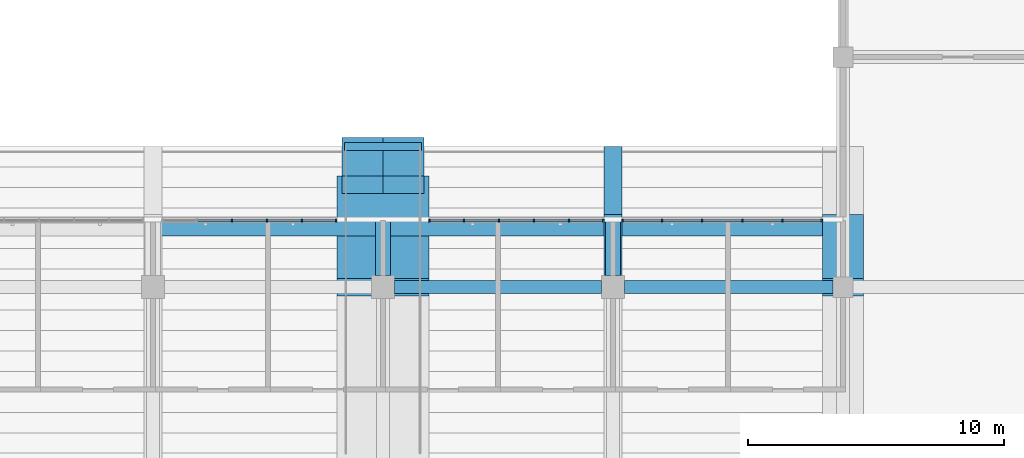
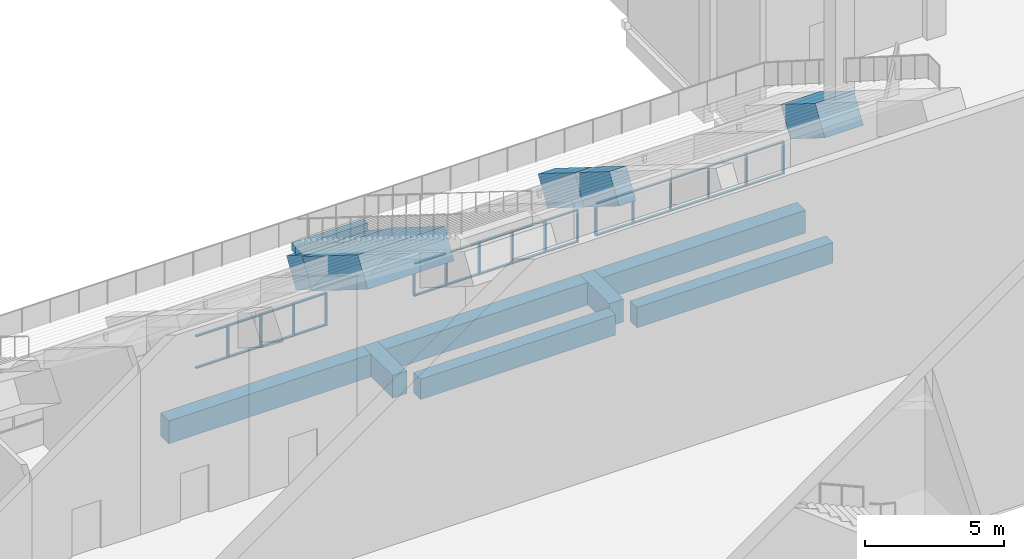
# One storey, part 42 of 182: 44 members, 14 beams, 3 elements without a shape of their own.
"""IFC4 building model written with IfcOpenShell, lengths in metres."""

from ifc_helpers import new_model, si_unit, direction, frame, origin, origin_2d, place, context, subcontext, project, spatial, rectangle, extrude, material, material_profile, profile_set, type_object, element, aggregate, save


model = new_model("IFC4")

# Units and contexts
model_context = context("Model", 3, precision=1e-05, world=origin(), true_north=direction((0.0, 1.0)))
body_context = subcontext(model_context, "Body", "Model", "MODEL_VIEW")
ifc_project = project(units=[si_unit("LENGTHUNIT", "METRE"), si_unit("AREAUNIT", "SQUARE_METRE"), si_unit("VOLUMEUNIT", "CUBIC_METRE"), si_unit("PLANEANGLEUNIT", "RADIAN"), si_unit("MASSUNIT", "GRAM", prefix="KILO")], contexts=[model_context])

# Site, building, storey
site_placement = place(None, origin())
site = spatial("IfcSite", under=ifc_project, at=site_placement, CompositionType="ELEMENT")
building_placement = place(site_placement, origin())
building = spatial("IfcBuilding", under=site, at=building_placement, Name="Silverbay Arena", CompositionType="ELEMENT")
storey_placement = place(building_placement, frame((0.0, 0.0, 11.5)))
storey = spatial("IfcBuildingStorey", under=building, at=storey_placement, Name="L02", CompositionType="ELEMENT", Elevation=11.5)

# Curtain wall, members
ifc_material_1 = material(Name="Fire-resisting glass", Category="glass")
curtain_wall_type_1 = type_object("IfcCurtainWallType", Name="Fire-resisting glazed screen EI 120 6850 x 1437", PredefinedType="NOTDEFINED", material=ifc_material_1)
curtain_wall_1_placement = place(storey_placement, origin())
curtain_wall_1 = element("IfcCurtainWall", 1, at=curtain_wall_1_placement, inside=storey, type_object=curtain_wall_type_1, Name="South suite front 5", PredefinedType="NOTDEFINED")
ifc_material_2 = material(Name="Aluminium", Category="aluminium")
ifc_material_profile_1 = material_profile(ifc_material_2, rectangle(XDim=0.1201171875, YDim=0.06005859375, at=origin_2d()), Name="Mullion 60 x 120")
ifc_profile_set_1 = profile_set([ifc_material_profile_1], Name="Aluminium")
member_type_1 = type_object("IfcMemberType", Name="Mullion 60 x 120", PredefinedType="MULLION", material=ifc_profile_set_1)
member_1_placement = place(storey_placement, frame((138.090087890625, 47.60009765625, 1.10009765625), z_axis=(0.0, 0.0, 1.0), x_axis=(0.0, 1.0, 0.0)))
member_1 = element("IfcMember", 2, at=member_1_placement, type_object=member_type_1, Name="CW19 mullion 3", PredefinedType="MULLION", context=body_context, shape_type="SweptSolid", body=[
    extrude(rectangle(XDim=0.1201171875, YDim=0.06005859375, at=origin_2d()), origin(), (0.0, 0.0, 1.0), 1.43701171875),
])
member_2_placement = place(storey_placement, frame((139.4599609375, 47.60009765625, 1.10009765625), z_axis=(0.0, 0.0, 1.0), x_axis=(0.0, 1.0, 0.0)))
member_2 = element("IfcMember", 3, at=member_2_placement, type_object=member_type_1, Name="CW19 mullion 4", PredefinedType="MULLION", context=body_context, shape_type="SweptSolid", body=[
    extrude(rectangle(XDim=0.1201171875, YDim=0.06005859375, at=origin_2d()), origin(), (0.0, 0.0, 1.0), 1.43701171875),
])
member_3_placement = place(storey_placement, frame((140.830078125, 47.60009765625, 1.10009765625), z_axis=(0.0, 0.0, 1.0), x_axis=(0.0, 1.0, 0.0)))
member_3 = element("IfcMember", 4, at=member_3_placement, type_object=member_type_1, Name="CW19 mullion 5", PredefinedType="MULLION", context=body_context, shape_type="SweptSolid", body=[
    extrude(rectangle(XDim=0.1201171875, YDim=0.06005859375, at=origin_2d()), origin(), (0.0, 0.0, 1.0), 1.43701171875),
])
member_4_placement = place(storey_placement, frame((142.169921875, 47.60009765625, 1.10009765625), z_axis=(0.0, 0.0, 1.0), x_axis=(0.0, 1.0, 0.0)))
member_4 = element("IfcMember", 5, at=member_4_placement, type_object=member_type_1, Name="CW19 mullion 6", PredefinedType="MULLION", context=body_context, shape_type="SweptSolid", body=[
    extrude(rectangle(XDim=0.1201171875, YDim=0.06005859375, at=origin_2d()), origin(), (0.0, 0.0, 1.0), 1.43701171875),
])

curtain_wall_2_placement = place(storey_placement, origin())
curtain_wall_2 = element("IfcCurtainWall", 6, at=curtain_wall_2_placement, inside=storey, type_object=curtain_wall_type_1, Name="South suite front 6", PredefinedType="NOTDEFINED")
member_5_placement = place(storey_placement, frame((145.830078125, 47.60009765625, 1.10009765625), z_axis=(0.0, 0.0, 1.0), x_axis=(0.0, 1.0, 0.0)))
member_5 = element("IfcMember", 7, at=member_5_placement, type_object=member_type_1, Name="CW19 mullion 1", PredefinedType="MULLION", context=body_context, shape_type="SweptSolid", body=[
    extrude(rectangle(XDim=0.1201171875, YDim=0.06005859375, at=origin_2d()), origin(), (0.0, 0.0, 1.0), 1.43701171875),
])
member_6_placement = place(storey_placement, frame((147.169921875, 47.60009765625, 1.10009765625), z_axis=(0.0, 0.0, 1.0), x_axis=(0.0, 1.0, 0.0)))
member_6 = element("IfcMember", 8, at=member_6_placement, type_object=member_type_1, Name="CW19 mullion 2", PredefinedType="MULLION", context=body_context, shape_type="SweptSolid", body=[
    extrude(rectangle(XDim=0.1201171875, YDim=0.06005859375, at=origin_2d()), origin(), (0.0, 0.0, 1.0), 1.43701171875),
])
member_7_placement = place(storey_placement, frame((148.5400390625, 47.60009765625, 1.10009765625), z_axis=(0.0, 0.0, 1.0), x_axis=(0.0, 1.0, 0.0)))
member_7 = element("IfcMember", 9, at=member_7_placement, type_object=member_type_1, Name="CW19 mullion 3", PredefinedType="MULLION", context=body_context, shape_type="SweptSolid", body=[
    extrude(rectangle(XDim=0.1201171875, YDim=0.06005859375, at=origin_2d()), origin(), (0.0, 0.0, 1.0), 1.43701171875),
])
member_8_placement = place(storey_placement, frame((149.909912109375, 47.60009765625, 1.10009765625), z_axis=(0.0, 0.0, 1.0), x_axis=(0.0, 1.0, 0.0)))
member_8 = element("IfcMember", 10, at=member_8_placement, type_object=member_type_1, Name="CW19 mullion 4", PredefinedType="MULLION", context=body_context, shape_type="SweptSolid", body=[
    extrude(rectangle(XDim=0.1201171875, YDim=0.06005859375, at=origin_2d()), origin(), (0.0, 0.0, 1.0), 1.43701171875),
])
member_9_placement = place(storey_placement, frame((151.280029296875, 47.60009765625, 1.10009765625), z_axis=(0.0, 0.0, 1.0), x_axis=(0.0, 1.0, 0.0)))
member_9 = element("IfcMember", 11, at=member_9_placement, type_object=member_type_1, Name="CW19 mullion 5", PredefinedType="MULLION", context=body_context, shape_type="SweptSolid", body=[
    extrude(rectangle(XDim=0.1201171875, YDim=0.06005859375, at=origin_2d()), origin(), (0.0, 0.0, 1.0), 1.43701171875),
])
member_10_placement = place(storey_placement, frame((152.6201171875, 47.60009765625, 1.10009765625), z_axis=(0.0, 0.0, 1.0), x_axis=(0.0, 1.0, 0.0)))
member_10 = element("IfcMember", 12, at=member_10_placement, type_object=member_type_1, Name="CW19 mullion 6", PredefinedType="MULLION", context=body_context, shape_type="SweptSolid", body=[
    extrude(rectangle(XDim=0.1201171875, YDim=0.06005859375, at=origin_2d()), origin(), (0.0, 0.0, 1.0), 1.43701171875),
])

ifc_material_3 = material(Name="Fire-resisting glass", Category="glass")
curtain_wall_type_2 = type_object("IfcCurtainWallType", Name="Fire-resisting glazed screen EI 120 7850 x 1437", PredefinedType="NOTDEFINED", material=ifc_material_3)
curtain_wall_3_placement = place(storey_placement, origin())
curtain_wall_3 = element("IfcCurtainWall", 13, at=curtain_wall_3_placement, inside=storey, type_object=curtain_wall_type_2, Name="South suite front 7", PredefinedType="NOTDEFINED")
member_11_placement = place(storey_placement, frame((153.3798828125, 47.60009765625, 1.10009765625), z_axis=(0.0, 0.0, 1.0), x_axis=(0.0, 1.0, 0.0)))
member_11 = element("IfcMember", 14, at=member_11_placement, type_object=member_type_1, Name="CW17 mullion 1", PredefinedType="MULLION", context=body_context, shape_type="SweptSolid", body=[
    extrude(rectangle(XDim=0.1201171875, YDim=0.06005859375, at=origin_2d()), origin(), (0.0, 0.0, 1.0), 1.43701171875),
])
member_12_placement = place(storey_placement, frame((154.919921875, 47.60009765625, 1.10009765625), z_axis=(0.0, 0.0, 1.0), x_axis=(0.0, 1.0, 0.0)))
member_12 = element("IfcMember", 15, at=member_12_placement, type_object=member_type_1, Name="CW17 mullion 2", PredefinedType="MULLION", context=body_context, shape_type="SweptSolid", body=[
    extrude(rectangle(XDim=0.1201171875, YDim=0.06005859375, at=origin_2d()), origin(), (0.0, 0.0, 1.0), 1.43701171875),
])
member_13_placement = place(storey_placement, frame((156.489990234375, 47.60009765625, 1.10009765625), z_axis=(0.0, 0.0, 1.0), x_axis=(0.0, 1.0, 0.0)))
member_13 = element("IfcMember", 16, at=member_13_placement, type_object=member_type_1, Name="CW17 mullion 3", PredefinedType="MULLION", context=body_context, shape_type="SweptSolid", body=[
    extrude(rectangle(XDim=0.1201171875, YDim=0.06005859375, at=origin_2d()), origin(), (0.0, 0.0, 1.0), 1.43701171875),
])
member_14_placement = place(storey_placement, frame((158.06005859375, 47.60009765625, 1.10009765625), z_axis=(0.0, 0.0, 1.0), x_axis=(0.0, 1.0, 0.0)))
member_14 = element("IfcMember", 17, at=member_14_placement, type_object=member_type_1, Name="CW17 mullion 4", PredefinedType="MULLION", context=body_context, shape_type="SweptSolid", body=[
    extrude(rectangle(XDim=0.1201171875, YDim=0.06005859375, at=origin_2d()), origin(), (0.0, 0.0, 1.0), 1.43701171875),
])
member_15_placement = place(storey_placement, frame((159.6298828125, 47.60009765625, 1.10009765625), z_axis=(0.0, 0.0, 1.0), x_axis=(0.0, 1.0, 0.0)))
member_15 = element("IfcMember", 18, at=member_15_placement, type_object=member_type_1, Name="CW17 mullion 5", PredefinedType="MULLION", context=body_context, shape_type="SweptSolid", body=[
    extrude(rectangle(XDim=0.1201171875, YDim=0.06005859375, at=origin_2d()), origin(), (0.0, 0.0, 1.0), 1.43701171875),
])
member_16_placement = place(storey_placement, frame((161.169921875, 47.60009765625, 1.10009765625), z_axis=(0.0, 0.0, 1.0), x_axis=(0.0, 1.0, 0.0)))
member_16 = element("IfcMember", 19, at=member_16_placement, type_object=member_type_1, Name="CW17 mullion 6", PredefinedType="MULLION", context=body_context, shape_type="SweptSolid", body=[
    extrude(rectangle(XDim=0.1201171875, YDim=0.06005859375, at=origin_2d()), origin(), (0.0, 0.0, 1.0), 1.43701171875),
])

# Beams
ifc_material_4 = material(Name="Concrete Grade C45", Category="concrete")
ifc_material_profile_2 = material_profile(ifc_material_4, rectangle(XDim=0.5, YDim=0.89990234375, at=origin_2d()), Name="RC 500x900")
ifc_profile_set_2 = profile_set([ifc_material_profile_2], Name="Concrete Grade C45")
beam_type_1 = type_object("IfcBeamType", Name="RC beam 500x900", PredefinedType="BEAM", material=ifc_profile_set_2)
beam_1_placement = place(storey_placement, frame((144.449951171875, 45.0, -0.800048828125), z_axis=(1.0, 0.0, 0.0), x_axis=(0.0, 1.0, 0.0)))
element("IfcBeam", 20, at=beam_1_placement, inside=storey, type_object=beam_type_1, Name="Floor beam L02 038", PredefinedType="BEAM", context=body_context, shape_type="SweptSolid", body=[
    extrude(rectangle(XDim=0.5, YDim=0.89990234375, at=origin_2d()), origin(), (0.0, 0.0, 1.0), 8.10009765625),
])
beam_2_placement = place(storey_placement, frame((153.449951171875, 45.0, -0.800048828125), z_axis=(1.0, 0.0, 0.0), x_axis=(0.0, 1.0, 0.0)))
element("IfcBeam", 21, at=beam_2_placement, inside=storey, type_object=beam_type_1, Name="Floor beam L02 039", PredefinedType="BEAM", context=body_context, shape_type="SweptSolid", body=[
    extrude(rectangle(XDim=0.5, YDim=0.89990234375, at=origin_2d()), origin(), (0.0, 0.0, 1.0), 8.150146484375),
])
ifc_material_5 = material(Name="Concrete Grade C45", Category="concrete")
ifc_material_profile_3 = material_profile(ifc_material_5, rectangle(XDim=0.60009765625, YDim=1.0, at=origin_2d()), Name="RC 600x1000")
ifc_profile_set_3 = profile_set([ifc_material_profile_3], Name="Concrete Grade C45")
beam_type_2 = type_object("IfcBeamType", Name="RC beam 600x1000", PredefinedType="BEAM", material=ifc_profile_set_3)
for number, where, z_axis, x_axis, name in (
    (22, (144.0, 45.449951171875, -0.85009765625), (0.0, 1.0, 0.0), (-1.0, 0.0, 0.0), "Floor beam L02 283"),
    (23, (153.0, 45.449951171875, -0.85009765625), (0.0, 1.0, 0.0), (-1.0, 0.0, 0.0), "Floor beam L02 289"),
):
    element("IfcBeam", number, at=place(storey_placement, frame(where, z_axis=z_axis, x_axis=x_axis)), inside=storey, type_object=beam_type_2, Name=name, PredefinedType="BEAM", context=body_context, shape_type="SweptSolid", body=[
        extrude(rectangle(XDim=0.60009765625, YDim=1.0, at=origin_2d()), origin(), (0.0, 0.0, 1.0), 2.150146484375),
    ])
for number, where, z_axis, x_axis, name in (
    (24, (135.300048828125, 47.300048828125, -0.85009765625), (1.0, 0.0, 0.0), (0.0, 1.0, 0.0), "Floor beam L02 369"),
    (25, (144.300048828125, 47.300048828125, -0.85009765625), (1.0, 0.0, 0.0), (0.0, 1.0, 0.0), "Floor beam L02 370"),
):
    element("IfcBeam", number, at=place(storey_placement, frame(where, z_axis=z_axis, x_axis=x_axis)), inside=storey, type_object=beam_type_2, Name=name, PredefinedType="BEAM", context=body_context, shape_type="SweptSolid", body=[
        extrude(rectangle(XDim=0.60009765625, YDim=1.0, at=origin_2d()), origin(), (0.0, 0.0, 1.0), 8.39990234375),
    ])
beam_3_placement = place(storey_placement, frame((153.300048828125, 47.300048828125, -0.85009765625), z_axis=(1.0, 0.0, 0.0), x_axis=(0.0, 1.0, 0.0)))
element("IfcBeam", 26, at=beam_3_placement, inside=storey, type_object=beam_type_2, Name="Floor beam L02 371", PredefinedType="BEAM", context=body_context, shape_type="SweptSolid", body=[
    extrude(rectangle(XDim=0.60009765625, YDim=1.0, at=origin_2d()), origin(), (0.0, 0.0, 1.0), 8.449951171875),
])
ifc_material_6 = material(Name="Concrete Grade C45", Category="concrete")
ifc_material_profile_4 = material_profile(ifc_material_6, rectangle(XDim=1.60009765625, YDim=1.300048828125, at=origin_2d()), Name="RC 1600x1300")
ifc_profile_set_4 = profile_set([ifc_material_profile_4], Name="Concrete Grade C45")
beam_type_3 = type_object("IfcBeamType", Name="RC cantilever raker 1600x1300", PredefinedType="BEAM", material=ifc_profile_set_4)
for number, where, z_axis, x_axis, name in (
    (27, (143.199951171875, 50.5, 1.553466796875), (0.0, -0.847998304005, 0.529998940003), (1.0, 0.0, 0.0), "Raker South upper 144 nose L"),
    (28, (144.800048828125, 50.5, 1.553466796875), (0.0, -0.847998304005, 0.529998940003), (1.0, 0.0, 0.0), "Raker South upper 144 nose R"),
):
    element("IfcBeam", number, at=place(storey_placement, frame(where, z_axis=z_axis, x_axis=x_axis)), inside=storey, type_object=beam_type_3, Name=name, PredefinedType="BEAM", context=body_context, shape_type="SweptSolid", body=[
        extrude(rectangle(XDim=1.60009765625, YDim=1.300048828125, at=origin_2d()), origin(), (0.0, 0.0, 1.0), 1.768798828125),
    ])
beam_4_placement = place(storey_placement, frame((162.0, 47.5, 3.428466796875), z_axis=(0.0, -0.847998304005, 0.529998940003), x_axis=(1.0, 0.0, 0.0)))
element("IfcBeam", 29, at=beam_4_placement, inside=storey, type_object=beam_type_3, Name="Raker South upper 162 mid", PredefinedType="BEAM", context=body_context, shape_type="SweptSolid", body=[
    extrude(rectangle(XDim=1.60009765625, YDim=1.300048828125, at=origin_2d()), origin(), (0.0, 0.0, 1.0), 2.947998046875),
])
ifc_material_7 = material(Name="Concrete Grade C45", Category="concrete")
ifc_material_profile_5 = material_profile(ifc_material_7, rectangle(XDim=3.60009765625, YDim=1.300048828125, at=origin_2d()), Name="RC 3600x1300")
ifc_profile_set_5 = profile_set([ifc_material_profile_5], Name="Concrete Grade C45")
beam_type_4 = type_object("IfcBeamType", Name="RC cantilever raker 3600x1300", PredefinedType="BEAM", material=ifc_profile_set_5)
beam_5_placement = place(storey_placement, frame((144.0, 49.0, 2.490966796875), z_axis=(0.0, -0.847998304005, 0.529998940003), x_axis=(1.0, 0.0, 0.0)))
element("IfcBeam", 30, at=beam_5_placement, inside=storey, type_object=beam_type_4, Name="Raker South upper 144 tip", PredefinedType="BEAM", context=body_context, shape_type="SweptSolid", body=[
    extrude(rectangle(XDim=3.60009765625, YDim=1.300048828125, at=origin_2d()), origin(), (0.0, 0.0, 1.0), 4.717041015625),
])
ifc_material_8 = material(Name="Concrete Grade C45", Category="concrete")
ifc_material_profile_6 = material_profile(ifc_material_8, rectangle(XDim=0.699951171875, YDim=1.300048828125, at=origin_2d()), Name="RC 700x1300")
ifc_profile_set_6 = profile_set([ifc_material_profile_6], Name="Concrete Grade C45")
beam_type_5 = type_object("IfcBeamType", Name="RC cantilever raker 700x1300", PredefinedType="BEAM", material=ifc_profile_set_6)
beam_6_placement = place(storey_placement, frame((153.0, 50.155517578125, 1.768798828125), z_axis=(0.0, -0.848002683915, 0.529991932082), x_axis=(1.0, 0.0, 0.0)))
element("IfcBeam", 31, at=beam_6_placement, inside=storey, type_object=beam_type_5, Name="Raker South upper 153 tip", PredefinedType="BEAM", context=body_context, shape_type="SweptSolid", body=[
    extrude(rectangle(XDim=0.699951171875, YDim=1.300048828125, at=origin_2d()), origin(), (0.0, 0.0, 1.0), 3.131591796875),
])
beam_7_placement = place(storey_placement, frame((153.0, 47.5, 3.428466796875), z_axis=(0.0, -0.847998304005, 0.529998940003), x_axis=(1.0, 0.0, 0.0)))
element("IfcBeam", 32, at=beam_7_placement, inside=storey, type_object=beam_type_5, Name="Raker South upper 153 mid", PredefinedType="BEAM", context=body_context, shape_type="SweptSolid", body=[
    extrude(rectangle(XDim=0.699951171875, YDim=1.300048828125, at=origin_2d()), origin(), (0.0, 0.0, 1.0), 2.947998046875),
])
ifc_material_9 = material(Name="Concrete Grade C45", Category="concrete")
ifc_material_profile_7 = material_profile(ifc_material_9, rectangle(XDim=0.300048828125, YDim=0.336181640625, at=origin_2d()), Name="RC 300x336")
ifc_profile_set_7 = profile_set([ifc_material_profile_7], Name="Concrete Grade C45")
beam_type_6 = type_object("IfcBeamType", Name="RC foot plinth 300x336", PredefinedType="BEAM", material=ifc_profile_set_7)
beam_8_placement = place(storey_placement, frame((142.5, 50.5, 2.581787109375), z_axis=(1.0, 0.0, 0.0), x_axis=(0.0, 1.0, 0.0)))
element("IfcBeam", 33, at=beam_8_placement, inside=storey, type_object=beam_type_6, Name="Foot plinth South upper 144", PredefinedType="BEAM", context=body_context, shape_type="SweptSolid", body=[
    extrude(rectangle(XDim=0.300048828125, YDim=0.336181640625, at=origin_2d()), origin(), (0.0, 0.0, 1.0), 3.0),
])

# Member
ifc_material_10 = material(Name="Aluminium", Category="aluminium")
ifc_material_profile_8 = material_profile(ifc_material_10, rectangle(XDim=0.10009765625, YDim=0.050048828125, at=origin_2d()), Name="Transom 50 x 100")
ifc_profile_set_8 = profile_set([ifc_material_profile_8], Name="Aluminium")
member_type_2 = type_object("IfcMemberType", Name="Transom 50 x 100", PredefinedType="USERDEFINED", material=ifc_profile_set_8)
member_17_placement = place(storey_placement, frame((136.75, 47.60009765625, 1.125), z_axis=(1.0, 0.0, 0.0), x_axis=(0.0, 1.0, 0.0)))
member_17 = element("IfcMember", 34, at=member_17_placement, type_object=member_type_2, Name="CW19 transom 2.1", ObjectType="TRANSOM", PredefinedType="USERDEFINED", context=body_context, shape_type="SweptSolid", body=[
    extrude(rectangle(XDim=0.10009765625, YDim=0.050048828125, at=origin_2d()), origin(), (0.0, 0.0, 1.0), 1.31005859375),
])

member_18_placement = place(storey_placement, frame((136.75, 47.60009765625, 2.511962890625), z_axis=(1.0, 0.0, 0.0), x_axis=(0.0, 1.0, 0.0)))
member_18 = element("IfcMember", 35, at=member_18_placement, type_object=member_type_2, Name="CW19 transom 2.2", ObjectType="TRANSOM", PredefinedType="USERDEFINED", context=body_context, shape_type="SweptSolid", body=[
    extrude(rectangle(XDim=0.10009765625, YDim=0.050048828125, at=origin_2d()), origin(), (0.0, 0.0, 1.0), 1.31005859375),
])

member_19_placement = place(storey_placement, frame((138.1201171875, 47.60009765625, 1.125), z_axis=(1.0, 0.0, 0.0), x_axis=(0.0, 1.0, 0.0)))
member_19 = element("IfcMember", 36, at=member_19_placement, type_object=member_type_2, Name="CW19 transom 3.1", ObjectType="TRANSOM", PredefinedType="USERDEFINED", context=body_context, shape_type="SweptSolid", body=[
    extrude(rectangle(XDim=0.10009765625, YDim=0.050048828125, at=origin_2d()), origin(), (0.0, 0.0, 1.0), 1.309814453125),
])

member_20_placement = place(storey_placement, frame((138.1201171875, 47.60009765625, 2.511962890625), z_axis=(1.0, 0.0, 0.0), x_axis=(0.0, 1.0, 0.0)))
member_20 = element("IfcMember", 37, at=member_20_placement, type_object=member_type_2, Name="CW19 transom 3.2", ObjectType="TRANSOM", PredefinedType="USERDEFINED", context=body_context, shape_type="SweptSolid", body=[
    extrude(rectangle(XDim=0.10009765625, YDim=0.050048828125, at=origin_2d()), origin(), (0.0, 0.0, 1.0), 1.309814453125),
])

member_21_placement = place(storey_placement, frame((139.489990234375, 47.60009765625, 1.125), z_axis=(1.0, 0.0, 0.0), x_axis=(0.0, 1.0, 0.0)))
member_21 = element("IfcMember", 38, at=member_21_placement, type_object=member_type_2, Name="CW19 transom 4.1", ObjectType="TRANSOM", PredefinedType="USERDEFINED", context=body_context, shape_type="SweptSolid", body=[
    extrude(rectangle(XDim=0.10009765625, YDim=0.050048828125, at=origin_2d()), origin(), (0.0, 0.0, 1.0), 1.31005859375),
])

member_22_placement = place(storey_placement, frame((139.489990234375, 47.60009765625, 2.511962890625), z_axis=(1.0, 0.0, 0.0), x_axis=(0.0, 1.0, 0.0)))
member_22 = element("IfcMember", 39, at=member_22_placement, type_object=member_type_2, Name="CW19 transom 4.2", ObjectType="TRANSOM", PredefinedType="USERDEFINED", context=body_context, shape_type="SweptSolid", body=[
    extrude(rectangle(XDim=0.10009765625, YDim=0.050048828125, at=origin_2d()), origin(), (0.0, 0.0, 1.0), 1.31005859375),
])

member_23_placement = place(storey_placement, frame((140.860107421875, 47.60009765625, 1.125), z_axis=(1.0, 0.0, 0.0), x_axis=(0.0, 1.0, 0.0)))
member_23 = element("IfcMember", 40, at=member_23_placement, type_object=member_type_2, Name="CW19 transom 5.1", ObjectType="TRANSOM", PredefinedType="USERDEFINED", context=body_context, shape_type="SweptSolid", body=[
    extrude(rectangle(XDim=0.10009765625, YDim=0.050048828125, at=origin_2d()), origin(), (0.0, 0.0, 1.0), 1.27978515625),
])

member_24_placement = place(storey_placement, frame((140.860107421875, 47.60009765625, 2.511962890625), z_axis=(1.0, 0.0, 0.0), x_axis=(0.0, 1.0, 0.0)))
member_24 = element("IfcMember", 41, at=member_24_placement, type_object=member_type_2, Name="CW19 transom 5.2", ObjectType="TRANSOM", PredefinedType="USERDEFINED", context=body_context, shape_type="SweptSolid", body=[
    extrude(rectangle(XDim=0.10009765625, YDim=0.050048828125, at=origin_2d()), origin(), (0.0, 0.0, 1.0), 1.27978515625),
])

aggregate(curtain_wall_1, [member_1, member_2, member_3, member_4, member_17, member_18, member_19, member_20, member_21, member_22, member_23, member_24])

member_25_placement = place(storey_placement, frame((145.860107421875, 47.60009765625, 1.125), z_axis=(1.0, 0.0, 0.0), x_axis=(0.0, 1.0, 0.0)))
member_25 = element("IfcMember", 42, at=member_25_placement, type_object=member_type_2, Name="CW19 transom 1.1", ObjectType="TRANSOM", PredefinedType="USERDEFINED", context=body_context, shape_type="SweptSolid", body=[
    extrude(rectangle(XDim=0.10009765625, YDim=0.050048828125, at=origin_2d()), origin(), (0.0, 0.0, 1.0), 1.27978515625),
])

member_26_placement = place(storey_placement, frame((145.860107421875, 47.60009765625, 2.511962890625), z_axis=(1.0, 0.0, 0.0), x_axis=(0.0, 1.0, 0.0)))
member_26 = element("IfcMember", 43, at=member_26_placement, type_object=member_type_2, Name="CW19 transom 1.2", ObjectType="TRANSOM", PredefinedType="USERDEFINED", context=body_context, shape_type="SweptSolid", body=[
    extrude(rectangle(XDim=0.10009765625, YDim=0.050048828125, at=origin_2d()), origin(), (0.0, 0.0, 1.0), 1.27978515625),
])

member_27_placement = place(storey_placement, frame((147.199951171875, 47.60009765625, 1.125), z_axis=(1.0, 0.0, 0.0), x_axis=(0.0, 1.0, 0.0)))
member_27 = element("IfcMember", 44, at=member_27_placement, type_object=member_type_2, Name="CW19 transom 2.1", ObjectType="TRANSOM", PredefinedType="USERDEFINED", context=body_context, shape_type="SweptSolid", body=[
    extrude(rectangle(XDim=0.10009765625, YDim=0.050048828125, at=origin_2d()), origin(), (0.0, 0.0, 1.0), 1.31005859375),
])

member_28_placement = place(storey_placement, frame((147.199951171875, 47.60009765625, 2.511962890625), z_axis=(1.0, 0.0, 0.0), x_axis=(0.0, 1.0, 0.0)))
member_28 = element("IfcMember", 45, at=member_28_placement, type_object=member_type_2, Name="CW19 transom 2.2", ObjectType="TRANSOM", PredefinedType="USERDEFINED", context=body_context, shape_type="SweptSolid", body=[
    extrude(rectangle(XDim=0.10009765625, YDim=0.050048828125, at=origin_2d()), origin(), (0.0, 0.0, 1.0), 1.31005859375),
])

member_29_placement = place(storey_placement, frame((148.570068359375, 47.60009765625, 1.125), z_axis=(1.0, 0.0, 0.0), x_axis=(0.0, 1.0, 0.0)))
member_29 = element("IfcMember", 46, at=member_29_placement, type_object=member_type_2, Name="CW19 transom 3.1", ObjectType="TRANSOM", PredefinedType="USERDEFINED", context=body_context, shape_type="SweptSolid", body=[
    extrude(rectangle(XDim=0.10009765625, YDim=0.050048828125, at=origin_2d()), origin(), (0.0, 0.0, 1.0), 1.309814453125),
])

member_30_placement = place(storey_placement, frame((148.570068359375, 47.60009765625, 2.511962890625), z_axis=(1.0, 0.0, 0.0), x_axis=(0.0, 1.0, 0.0)))
member_30 = element("IfcMember", 47, at=member_30_placement, type_object=member_type_2, Name="CW19 transom 3.2", ObjectType="TRANSOM", PredefinedType="USERDEFINED", context=body_context, shape_type="SweptSolid", body=[
    extrude(rectangle(XDim=0.10009765625, YDim=0.050048828125, at=origin_2d()), origin(), (0.0, 0.0, 1.0), 1.309814453125),
])

member_31_placement = place(storey_placement, frame((149.93994140625, 47.60009765625, 1.125), z_axis=(1.0, 0.0, 0.0), x_axis=(0.0, 1.0, 0.0)))
member_31 = element("IfcMember", 48, at=member_31_placement, type_object=member_type_2, Name="CW19 transom 4.1", ObjectType="TRANSOM", PredefinedType="USERDEFINED", context=body_context, shape_type="SweptSolid", body=[
    extrude(rectangle(XDim=0.10009765625, YDim=0.050048828125, at=origin_2d()), origin(), (0.0, 0.0, 1.0), 1.31005859375),
])

member_32_placement = place(storey_placement, frame((149.93994140625, 47.60009765625, 2.511962890625), z_axis=(1.0, 0.0, 0.0), x_axis=(0.0, 1.0, 0.0)))
member_32 = element("IfcMember", 49, at=member_32_placement, type_object=member_type_2, Name="CW19 transom 4.2", ObjectType="TRANSOM", PredefinedType="USERDEFINED", context=body_context, shape_type="SweptSolid", body=[
    extrude(rectangle(XDim=0.10009765625, YDim=0.050048828125, at=origin_2d()), origin(), (0.0, 0.0, 1.0), 1.31005859375),
])

member_33_placement = place(storey_placement, frame((151.31005859375, 47.60009765625, 1.125), z_axis=(1.0, 0.0, 0.0), x_axis=(0.0, 1.0, 0.0)))
member_33 = element("IfcMember", 50, at=member_33_placement, type_object=member_type_2, Name="CW19 transom 5.1", ObjectType="TRANSOM", PredefinedType="USERDEFINED", context=body_context, shape_type="SweptSolid", body=[
    extrude(rectangle(XDim=0.10009765625, YDim=0.050048828125, at=origin_2d()), origin(), (0.0, 0.0, 1.0), 1.280029296875),
])

member_34_placement = place(storey_placement, frame((151.31005859375, 47.60009765625, 2.511962890625), z_axis=(1.0, 0.0, 0.0), x_axis=(0.0, 1.0, 0.0)))
member_34 = element("IfcMember", 51, at=member_34_placement, type_object=member_type_2, Name="CW19 transom 5.2", ObjectType="TRANSOM", PredefinedType="USERDEFINED", context=body_context, shape_type="SweptSolid", body=[
    extrude(rectangle(XDim=0.10009765625, YDim=0.050048828125, at=origin_2d()), origin(), (0.0, 0.0, 1.0), 1.280029296875),
])

aggregate(curtain_wall_2, [member_5, member_6, member_7, member_8, member_9, member_10, member_25, member_26, member_27, member_28, member_29, member_30, member_31, member_32, member_33, member_34])

member_35_placement = place(storey_placement, frame((153.409912109375, 47.60009765625, 1.125), z_axis=(1.0, 0.0, 0.0), x_axis=(0.0, 1.0, 0.0)))
member_35 = element("IfcMember", 52, at=member_35_placement, type_object=member_type_2, Name="CW17 transom 1.1", ObjectType="TRANSOM", PredefinedType="USERDEFINED", context=body_context, shape_type="SweptSolid", body=[
    extrude(rectangle(XDim=0.10009765625, YDim=0.050048828125, at=origin_2d()), origin(), (0.0, 0.0, 1.0), 1.47998046875),
])

member_36_placement = place(storey_placement, frame((153.409912109375, 47.60009765625, 2.511962890625), z_axis=(1.0, 0.0, 0.0), x_axis=(0.0, 1.0, 0.0)))
member_36 = element("IfcMember", 53, at=member_36_placement, type_object=member_type_2, Name="CW17 transom 1.2", ObjectType="TRANSOM", PredefinedType="USERDEFINED", context=body_context, shape_type="SweptSolid", body=[
    extrude(rectangle(XDim=0.10009765625, YDim=0.050048828125, at=origin_2d()), origin(), (0.0, 0.0, 1.0), 1.47998046875),
])

member_37_placement = place(storey_placement, frame((154.949951171875, 47.60009765625, 1.125), z_axis=(1.0, 0.0, 0.0), x_axis=(0.0, 1.0, 0.0)))
member_37 = element("IfcMember", 54, at=member_37_placement, type_object=member_type_2, Name="CW17 transom 2.1", ObjectType="TRANSOM", PredefinedType="USERDEFINED", context=body_context, shape_type="SweptSolid", body=[
    extrude(rectangle(XDim=0.10009765625, YDim=0.050048828125, at=origin_2d()), origin(), (0.0, 0.0, 1.0), 1.510009765625),
])

member_38_placement = place(storey_placement, frame((154.949951171875, 47.60009765625, 2.511962890625), z_axis=(1.0, 0.0, 0.0), x_axis=(0.0, 1.0, 0.0)))
member_38 = element("IfcMember", 55, at=member_38_placement, type_object=member_type_2, Name="CW17 transom 2.2", ObjectType="TRANSOM", PredefinedType="USERDEFINED", context=body_context, shape_type="SweptSolid", body=[
    extrude(rectangle(XDim=0.10009765625, YDim=0.050048828125, at=origin_2d()), origin(), (0.0, 0.0, 1.0), 1.510009765625),
])

member_39_placement = place(storey_placement, frame((156.52001953125, 47.60009765625, 1.125), z_axis=(1.0, 0.0, 0.0), x_axis=(0.0, 1.0, 0.0)))
member_39 = element("IfcMember", 56, at=member_39_placement, type_object=member_type_2, Name="CW17 transom 3.1", ObjectType="TRANSOM", PredefinedType="USERDEFINED", context=body_context, shape_type="SweptSolid", body=[
    extrude(rectangle(XDim=0.10009765625, YDim=0.050048828125, at=origin_2d()), origin(), (0.0, 0.0, 1.0), 1.510009765625),
])

member_40_placement = place(storey_placement, frame((156.52001953125, 47.60009765625, 2.511962890625), z_axis=(1.0, 0.0, 0.0), x_axis=(0.0, 1.0, 0.0)))
member_40 = element("IfcMember", 57, at=member_40_placement, type_object=member_type_2, Name="CW17 transom 3.2", ObjectType="TRANSOM", PredefinedType="USERDEFINED", context=body_context, shape_type="SweptSolid", body=[
    extrude(rectangle(XDim=0.10009765625, YDim=0.050048828125, at=origin_2d()), origin(), (0.0, 0.0, 1.0), 1.510009765625),
])

member_41_placement = place(storey_placement, frame((158.090087890625, 47.60009765625, 1.125), z_axis=(1.0, 0.0, 0.0), x_axis=(0.0, 1.0, 0.0)))
member_41 = element("IfcMember", 58, at=member_41_placement, type_object=member_type_2, Name="CW17 transom 4.1", ObjectType="TRANSOM", PredefinedType="USERDEFINED", context=body_context, shape_type="SweptSolid", body=[
    extrude(rectangle(XDim=0.10009765625, YDim=0.050048828125, at=origin_2d()), origin(), (0.0, 0.0, 1.0), 1.510009765625),
])

member_42_placement = place(storey_placement, frame((158.090087890625, 47.60009765625, 2.511962890625), z_axis=(1.0, 0.0, 0.0), x_axis=(0.0, 1.0, 0.0)))
member_42 = element("IfcMember", 59, at=member_42_placement, type_object=member_type_2, Name="CW17 transom 4.2", ObjectType="TRANSOM", PredefinedType="USERDEFINED", context=body_context, shape_type="SweptSolid", body=[
    extrude(rectangle(XDim=0.10009765625, YDim=0.050048828125, at=origin_2d()), origin(), (0.0, 0.0, 1.0), 1.510009765625),
])

member_43_placement = place(storey_placement, frame((159.659912109375, 47.60009765625, 1.125), z_axis=(1.0, 0.0, 0.0), x_axis=(0.0, 1.0, 0.0)))
member_43 = element("IfcMember", 60, at=member_43_placement, type_object=member_type_2, Name="CW17 transom 5.1", ObjectType="TRANSOM", PredefinedType="USERDEFINED", context=body_context, shape_type="SweptSolid", body=[
    extrude(rectangle(XDim=0.10009765625, YDim=0.050048828125, at=origin_2d()), origin(), (0.0, 0.0, 1.0), 1.47998046875),
])

member_44_placement = place(storey_placement, frame((159.659912109375, 47.60009765625, 2.511962890625), z_axis=(1.0, 0.0, 0.0), x_axis=(0.0, 1.0, 0.0)))
member_44 = element("IfcMember", 61, at=member_44_placement, type_object=member_type_2, Name="CW17 transom 5.2", ObjectType="TRANSOM", PredefinedType="USERDEFINED", context=body_context, shape_type="SweptSolid", body=[
    extrude(rectangle(XDim=0.10009765625, YDim=0.050048828125, at=origin_2d()), origin(), (0.0, 0.0, 1.0), 1.47998046875),
])

aggregate(curtain_wall_3, [member_11, member_12, member_13, member_14, member_15, member_16, member_35, member_36, member_37, member_38, member_39, member_40, member_41, member_42, member_43, member_44])

save(model, "model.ifc")
